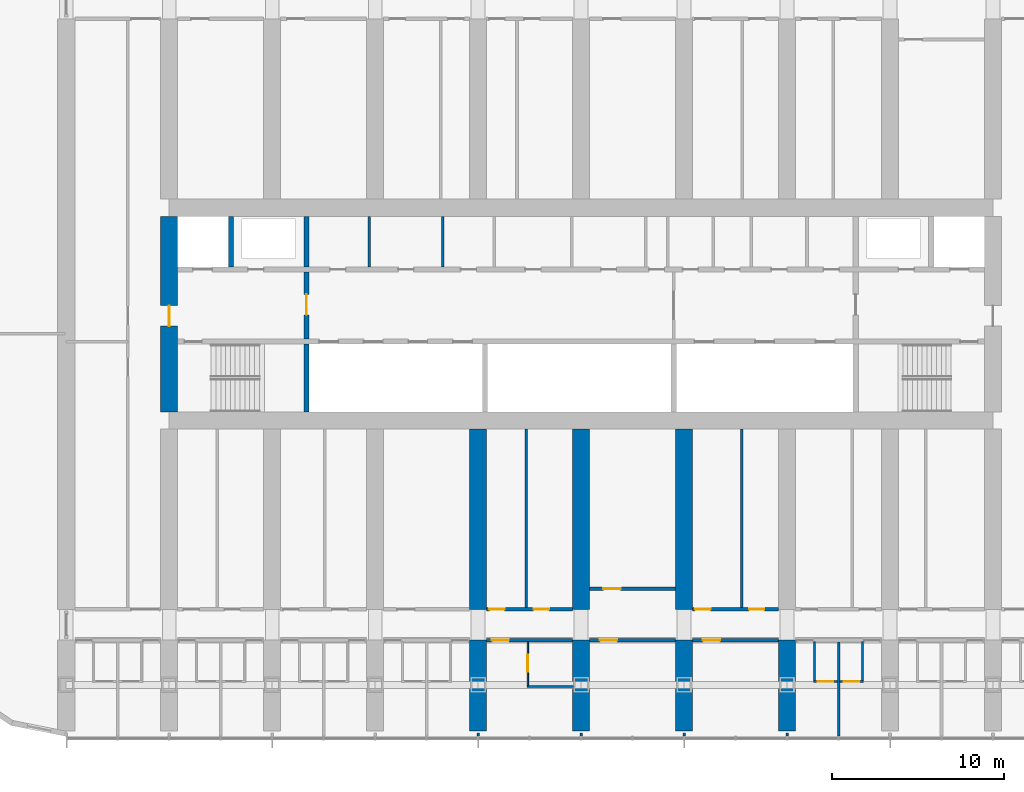
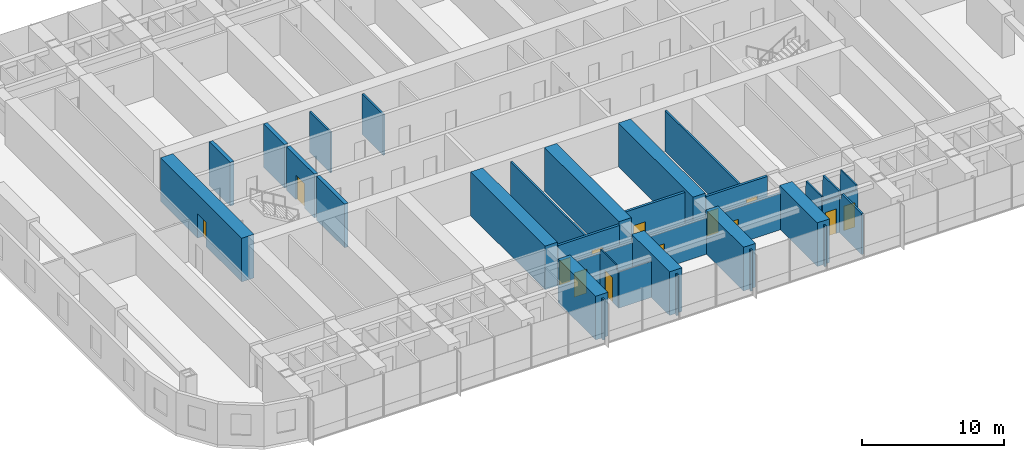
# One storey, part 12 of 25: 33 walls, 13 doors, 13 openings.
"""IFC4 building model written with IfcOpenShell, lengths in metres."""

from ifc_helpers import new_model, si_unit, direction, frame, frame_2d, origin, place, context, subcontext, project, spatial, polyline, rectangle, outline, extrude, material, layer, layer_set, type_object, element, fill, save


model = new_model("IFC4")

# Units and contexts
model_context = context("Model", 3, precision=1e-05, world=origin(), true_north=direction((0.0, 1.0)))
body_context = subcontext(model_context, "Body", "Model", "MODEL_VIEW")
ifc_project = project(units=[si_unit("LENGTHUNIT", "METRE"), si_unit("AREAUNIT", "SQUARE_METRE"), si_unit("VOLUMEUNIT", "CUBIC_METRE"), si_unit("PLANEANGLEUNIT", "RADIAN"), si_unit("MASSUNIT", "GRAM", prefix="KILO")], contexts=[model_context])

# Site, building, storey
site_placement = place(None, origin())
site = spatial("IfcSite", under=ifc_project, at=site_placement, CompositionType="ELEMENT")
building_placement = place(site_placement, origin())
building = spatial("IfcBuilding", under=site, at=building_placement, Name="Orbita Commons", CompositionType="ELEMENT")
storey_placement = place(building_placement, frame((0.0, 0.0, 31.449951171875)))
storey = spatial("IfcBuildingStorey", under=building, at=storey_placement, Name="L07", CompositionType="ELEMENT", Elevation=31.449951171875)

# Wall
ifc_material_1 = material(Name="Concrete C50/60", Category="concrete")
ifc_layer_1 = layer(ifc_material_1, 0.300048828125)
ifc_layer_set_1 = layer_set([ifc_layer_1], Name="Concrete C50/60")
wall_type_1 = type_object("IfcWallType", Name="Core inner wall 300 C50/60", PredefinedType="SHEAR", material=ifc_layer_set_1)
wall_1_placement = place(storey_placement, frame((26.0, 26.300048828125, 0.0), z_axis=(0.0, 0.0, 1.0), x_axis=(0.0, 1.0, 0.0)))
element("IfcWall", 1, at=wall_1_placement, inside=storey, type_object=wall_type_1, Name="Stair S1 wall L07", PredefinedType="SHEAR", context=body_context, shape_type="SweptSolid", body=[
    extrude(rectangle(XDim=3.949951171875, YDim=0.300048828125, at=frame_2d((1.97509765625, 0.0))), origin(), (0.0, 0.0, 1.0), 3.75),
])

# Wall, opening, door
wall_2_placement = place(storey_placement, frame((26.0, 30.550048828125, 0.0), z_axis=(0.0, 0.0, 1.0), x_axis=(0.0, 1.0, 0.0)))
wall_2 = element("IfcWall", 2, at=wall_2_placement, inside=storey, type_object=wall_type_1, Name="Firefighting lobby wall west L07", PredefinedType="SHEAR", context=body_context, shape_type="SweptSolid", body=[
    extrude(rectangle(XDim=3.89990234375, YDim=0.300048828125, at=frame_2d((1.949951171875, 0.0))), origin(), (0.0, 0.0, 1.0), 3.75),
])
opening_1_placement = place(wall_2_placement, frame((1.39990234375, 0.0, 0.0)))
opening_1 = element("IfcOpeningElement", 3, at=opening_1_placement, cuts=wall_2, Name="Opening D04", PredefinedType="OPENING", context=body_context, shape_type="SweptSolid", body=[
    extrude(rectangle(XDim=1.199951171875, YDim=2.10009765625, at=frame_2d((0.60009765625, 1.050048828125))), frame((0.0, 0.159912109375, 0.0), z_axis=(0.0, -1.0, 0.0), x_axis=(1.0, 0.0, 0.0)), (0.0, 0.0, 1.0), 0.320068359375),
])
ifc_material_2 = material(Name="Steel-faced fire door leaf", Category="steel")
door_type_1 = type_object("IfcDoorType", Name="Service door 20 min 1200x2100", OperationType="SINGLE_SWING_LEFT", PredefinedType="DOOR", material=ifc_material_2)
door_1_placement = place(opening_1_placement, origin())
door_1 = element("IfcDoor", 4, at=door_1_placement, inside=storey, type_object=door_type_1, Name="Lift lobby door west", OperationType="SINGLE_SWING_LEFT", OverallHeight=2.10009765625, OverallWidth=1.199951171875, PredefinedType="DOOR", context=body_context, shape_type="SweptSolid", body=[
    extrude(rectangle(XDim=1.199951171875, YDim=2.10009765625, at=frame_2d((0.60009765625, 1.050048828125))), frame((0.0, 0.02490234375, 0.0), z_axis=(0.0, -1.0, 0.0), x_axis=(1.0, 0.0, 0.0)), (0.0, 0.0, 1.0), 0.050048828125),
])
fill(opening_1, door_1)

# Walls
for number, where, z_axis, x_axis, name in (
    (5, (21.60009765625, 34.75, 0.0), (0.0, 0.0, 1.0), (0.0, 1.0, 0.0), "Firefighting lift FL1 shaft wall L07"),
    (6, (26.0, 34.75, 0.0), (0.0, 0.0, 1.0), (0.0, 1.0, 0.0), "Riser wall west L07"),
):
    element("IfcWall", number, at=place(storey_placement, frame(where, z_axis=z_axis, x_axis=x_axis)), inside=storey, type_object=wall_type_1, Name=name, PredefinedType="SHEAR", context=body_context, shape_type="SweptSolid", body=[
        extrude(rectangle(XDim=2.949951171875, YDim=0.300048828125, at=frame_2d((1.47509765625, 0.0))), origin(), (0.0, 0.0, 1.0), 3.75),
    ])
ifc_material_3 = material(Name="Concrete blockwork", Category="masonry")
ifc_layer_2 = layer(ifc_material_3, 0.14990234375)
ifc_layer_set_2 = layer_set([ifc_layer_2], Name="Concrete blockwork")
wall_type_2 = type_object("IfcWallType", Name="Core partition 150 blockwork", PredefinedType="SOLIDWALL", material=ifc_layer_set_2)
for number, where, z_axis, x_axis, name in (
    (7, (29.65087890625, 34.75, 0.0), (0.0, 0.0, 1.0), (0.0, 1.0, 0.0), "Core partition 150 blockwork L07"),
    (8, (33.9462890625, 34.75, 0.0), (0.0, 0.0, 1.0), (0.0, 1.0, 0.0), "Core partition 150 blockwork L07"),
):
    element("IfcWall", number, at=place(storey_placement, frame(where, z_axis=z_axis, x_axis=x_axis)), inside=storey, type_object=wall_type_2, Name=name, PredefinedType="SOLIDWALL", context=body_context, shape_type="SweptSolid", body=[
        extrude(rectangle(XDim=2.949951171875, YDim=0.14990234375, at=frame_2d((1.47509765625, 0.0))), origin(), (0.0, 0.0, 1.0), 3.5),
    ])

# Wall, opening, door
ifc_material_4 = material(Name="Concrete C50/60", Category="concrete")
ifc_layer_3 = layer(ifc_material_4, 1.0)
ifc_layer_set_3 = layer_set([ifc_layer_3], Name="Concrete C50/60")
wall_type_3 = type_object("IfcWallType", Name="Core wall 1000 C50/60", PredefinedType="SHEAR", material=ifc_layer_set_3)
wall_3_placement = place(storey_placement, frame((18.0, 26.300048828125, 0.0), z_axis=(0.0, 0.0, 1.0), x_axis=(0.0, 1.0, 0.0)))
wall_3 = element("IfcWall", 9, at=wall_3_placement, inside=storey, type_object=wall_type_3, Name="Core end wall west L07", PredefinedType="SHEAR", context=body_context, shape_type="SweptSolid", body=[
    extrude(rectangle(XDim=11.39990234375, YDim=1.0, at=frame_2d((5.699951171875, 0.0))), origin(), (0.0, 0.0, 1.0), 3.75),
])
opening_2_placement = place(wall_3_placement, frame((5.0, 0.0, 0.0)))
opening_2 = element("IfcOpeningElement", 10, at=opening_2_placement, cuts=wall_3, Name="Opening D01", PredefinedType="OPENING", context=body_context, shape_type="SweptSolid", body=[
    extrude(rectangle(XDim=1.199951171875, YDim=2.10009765625, at=frame_2d((0.60009765625, 1.050048828125))), frame((0.0, 0.510009765625, 0.0), z_axis=(0.0, -1.0, 0.0), x_axis=(1.0, 0.0, 0.0)), (0.0, 0.0, 1.0), 1.02001953125),
])
ifc_material_5 = material(Name="Steel-faced fire door leaf", Category="steel")
door_type_2 = type_object("IfcDoorType", Name="Fire door 90 min 1200x2100", OperationType="SINGLE_SWING_LEFT", PredefinedType="DOOR", material=ifc_material_5)
door_2_placement = place(opening_2_placement, origin())
door_2 = element("IfcDoor", 11, at=door_2_placement, inside=storey, type_object=door_type_2, Name="Firefighting lobby west door", OperationType="SINGLE_SWING_LEFT", OverallHeight=2.10009765625, OverallWidth=1.199951171875, PredefinedType="DOOR", context=body_context, shape_type="SweptSolid", body=[
    extrude(rectangle(XDim=1.199951171875, YDim=2.10009765625, at=frame_2d((0.60009765625, 1.050048828125))), frame((0.0, 0.02490234375, 0.0), z_axis=(0.0, -1.0, 0.0), x_axis=(1.0, 0.0, 0.0)), (0.0, 0.0, 1.0), 0.050048828125),
])
fill(opening_2, door_2)

ifc_material_6 = material(Name="Concrete blockwork", Category="masonry")
ifc_layer_4 = layer(ifc_material_6, 0.199951171875)
ifc_layer_set_4 = layer_set([ifc_layer_4], Name="Concrete blockwork")
wall_type_4 = type_object("IfcWallType", Name="Corridor wall 200 blockwork", PredefinedType="SOLIDWALL", material=ifc_layer_set_4)
wall_4_placement = place(storey_placement, frame((36.5, 13.0, 0.0), z_axis=(0.0, 0.0, 1.0), x_axis=(1.0, 0.0, 0.0)))
wall_4 = element("IfcWall", 12, at=wall_4_placement, inside=storey, type_object=wall_type_4, Name="Corridor wall 200 blockwork L07", PredefinedType="SOLIDWALL", context=body_context, shape_type="SweptSolid", body=[
    extrude(outline(polyline([(0.0, 0.0), (5.0, 0.0), (5.0, 3.10009765625), (0.0, 3.10009765625), (0.0, 0.0)])), frame((0.0, 0.10009765625, 0.0), z_axis=(0.0, -1.0, 0.0), x_axis=(1.0, 0.0, 0.0)), (0.0, 0.0, 1.0), 0.199951171875),
])
opening_3_placement = place(wall_4_placement, frame((0.300048828125, 0.0, 0.0)))
opening_3 = element("IfcOpeningElement", 13, at=opening_3_placement, cuts=wall_4, Name="Opening D06", PredefinedType="OPENING", context=body_context, shape_type="SweptSolid", body=[
    extrude(rectangle(XDim=1.0, YDim=2.10009765625, at=frame_2d((0.5, 1.050048828125))), frame((0.0, 0.10986328125, 0.0), z_axis=(0.0, -1.0, 0.0), x_axis=(1.0, 0.0, 0.0)), (0.0, 0.0, 1.0), 0.219970703125),
])
ifc_material_7 = material(Name="Steel-faced fire door leaf", Category="steel")
door_type_3 = type_object("IfcDoorType", Name="Corridor door 20 min 1000x2100", OperationType="SINGLE_SWING_LEFT", PredefinedType="DOOR", material=ifc_material_7)
door_3_placement = place(opening_3_placement, origin())
door_3 = element("IfcDoor", 14, at=door_3_placement, inside=storey, type_object=door_type_3, Name="Accessible bedroom L07-S08 door", OperationType="SINGLE_SWING_LEFT", OverallHeight=2.10009765625, OverallWidth=1.0, PredefinedType="DOOR", context=body_context, shape_type="SweptSolid", body=[
    extrude(rectangle(XDim=1.0, YDim=2.10009765625, at=frame_2d((0.5, 1.050048828125))), frame((0.0, 0.02490234375, 0.0), z_axis=(0.0, -1.0, 0.0), x_axis=(1.0, 0.0, 0.0)), (0.0, 0.0, 1.0), 0.050048828125),
])
fill(opening_3, door_3)

wall_5_placement = place(storey_placement, frame((42.5, 13.0, 0.0), z_axis=(0.0, 0.0, 1.0), x_axis=(1.0, 0.0, 0.0)))
wall_5 = element("IfcWall", 15, at=wall_5_placement, inside=storey, type_object=wall_type_4, Name="Corridor wall 200 blockwork L07", PredefinedType="SOLIDWALL", context=body_context, shape_type="SweptSolid", body=[
    extrude(outline(polyline([(0.0, 0.0), (5.0, 0.0), (5.0, 3.10009765625), (0.0, 3.10009765625), (0.0, 0.0)])), frame((0.0, 0.10009765625, 0.0), z_axis=(0.0, -1.0, 0.0), x_axis=(1.0, 0.0, 0.0)), (0.0, 0.0, 1.0), 0.199951171875),
])
opening_4_placement = place(wall_5_placement, frame((0.60009765625, 0.0, 0.0)))
opening_4 = element("IfcOpeningElement", 16, at=opening_4_placement, cuts=wall_5, Name="Opening D06", PredefinedType="OPENING", context=body_context, shape_type="SweptSolid", body=[
    extrude(rectangle(XDim=1.0, YDim=2.10009765625, at=frame_2d((0.5, 1.050048828125))), frame((0.0, 0.10986328125, 0.0), z_axis=(0.0, -1.0, 0.0), x_axis=(1.0, 0.0, 0.0)), (0.0, 0.0, 1.0), 0.219970703125),
])
door_4_placement = place(opening_4_placement, origin())
door_4 = element("IfcDoor", 17, at=door_4_placement, inside=storey, type_object=door_type_3, Name="House study room L07-S10 door", OperationType="SINGLE_SWING_LEFT", OverallHeight=2.10009765625, OverallWidth=1.0, PredefinedType="DOOR", context=body_context, shape_type="SweptSolid", body=[
    extrude(rectangle(XDim=1.0, YDim=2.10009765625, at=frame_2d((0.5, 1.050048828125))), frame((0.0, 0.02490234375, 0.0), z_axis=(0.0, -1.0, 0.0), x_axis=(1.0, 0.0, 0.0)), (0.0, 0.0, 1.0), 0.050048828125),
])
fill(opening_4, door_4)

wall_6_placement = place(storey_placement, frame((48.5, 13.0, 0.0), z_axis=(0.0, 0.0, 1.0), x_axis=(1.0, 0.0, 0.0)))
wall_6 = element("IfcWall", 18, at=wall_6_placement, inside=storey, type_object=wall_type_4, Name="Corridor wall 200 blockwork L07", PredefinedType="SOLIDWALL", context=body_context, shape_type="SweptSolid", body=[
    extrude(outline(polyline([(0.0, 0.0), (5.0, 0.0), (5.0, 3.10009765625), (0.0, 3.10009765625), (0.0, 0.0)])), frame((0.0, 0.10009765625, 0.0), z_axis=(0.0, -1.0, 0.0), x_axis=(1.0, 0.0, 0.0)), (0.0, 0.0, 1.0), 0.199951171875),
])
opening_5_placement = place(wall_6_placement, frame((0.60009765625, 0.0, 0.0)))
opening_5 = element("IfcOpeningElement", 19, at=opening_5_placement, cuts=wall_6, Name="Opening D06", PredefinedType="OPENING", context=body_context, shape_type="SweptSolid", body=[
    extrude(rectangle(XDim=1.0, YDim=2.10009765625, at=frame_2d((0.5, 1.050048828125))), frame((0.0, 0.10986328125, 0.0), z_axis=(0.0, -1.0, 0.0), x_axis=(1.0, 0.0, 0.0)), (0.0, 0.0, 1.0), 0.219970703125),
])
door_5_placement = place(opening_5_placement, origin())
door_5 = element("IfcDoor", 20, at=door_5_placement, inside=storey, type_object=door_type_3, Name="House kitchen-diner L07-S12 door", OperationType="SINGLE_SWING_LEFT", OverallHeight=2.10009765625, OverallWidth=1.0, PredefinedType="DOOR", context=body_context, shape_type="SweptSolid", body=[
    extrude(rectangle(XDim=1.0, YDim=2.10009765625, at=frame_2d((0.5, 1.050048828125))), frame((0.0, 0.02490234375, 0.0), z_axis=(0.0, -1.0, 0.0), x_axis=(1.0, 0.0, 0.0)), (0.0, 0.0, 1.0), 0.050048828125),
])
fill(opening_5, door_5)

# Wall, openings, doors
ifc_material_8 = material(Name="Hollow concrete block 200", Category="concrete")
ifc_layer_5 = layer(ifc_material_8, 0.199951171875)
ifc_layer_set_5 = layer_set([ifc_layer_5], Name="Hollow concrete block 200")
wall_type_5 = type_object("IfcWallType", Name="Corridor wall 200 hollow concrete block", PredefinedType="SOLIDWALL", material=ifc_layer_set_5)
wall_7_placement = place(storey_placement, frame((36.5, 14.800048828125, 0.0), z_axis=(0.0, 0.0, 1.0), x_axis=(1.0, 0.0, 0.0)))
wall_7 = element("IfcWall", 21, at=wall_7_placement, inside=storey, type_object=wall_type_5, Name="Corridor wall 200 hollow concrete block L07", PredefinedType="SOLIDWALL", context=body_context, shape_type="SweptSolid", body=[
    extrude(rectangle(XDim=5.0, YDim=0.199951171875, at=frame_2d((2.5, 0.0))), origin(), (0.0, 0.0, 1.0), 3.5),
])
opening_6_placement = place(wall_7_placement, frame((0.14990234375, 0.0, 0.0)))
opening_6 = element("IfcOpeningElement", 22, at=opening_6_placement, cuts=wall_7, Name="Opening D11", PredefinedType="OPENING", context=body_context, shape_type="SweptSolid", body=[
    extrude(rectangle(XDim=0.89990234375, YDim=2.10009765625, at=frame_2d((0.449951171875, 1.050048828125))), frame((0.0, 0.10986328125, 0.0), z_axis=(0.0, -1.0, 0.0), x_axis=(1.0, 0.0, 0.0)), (0.0, 0.0, 1.0), 0.219970703125),
])
opening_7_placement = place(wall_7_placement, frame((2.735107421875, 0.0, 0.0)))
opening_7 = element("IfcOpeningElement", 23, at=opening_7_placement, cuts=wall_7, Name="Opening D11", PredefinedType="OPENING", context=body_context, shape_type="SweptSolid", body=[
    extrude(rectangle(XDim=0.89990234375, YDim=2.10009765625, at=frame_2d((0.449951171875, 1.050048828125))), frame((0.0, 0.10986328125, 0.0), z_axis=(0.0, -1.0, 0.0), x_axis=(1.0, 0.0, 0.0)), (0.0, 0.0, 1.0), 0.219970703125),
])
ifc_material_9 = material(Name="Steel-faced fire door leaf", Category="steel")
door_type_4 = type_object("IfcDoorType", Name="Corridor door 20 min 900x2100", OperationType="SINGLE_SWING_LEFT", PredefinedType="DOOR", material=ifc_material_9)
door_6_placement = place(opening_6_placement, origin())
door_6 = element("IfcDoor", 24, at=door_6_placement, inside=storey, type_object=door_type_4, Name="Quiet room L07-BDS36 door", OperationType="SINGLE_SWING_LEFT", OverallHeight=2.10009765625, OverallWidth=0.89990234375, PredefinedType="DOOR", context=body_context, shape_type="SweptSolid", body=[
    extrude(rectangle(XDim=0.89990234375, YDim=2.10009765625, at=frame_2d((0.449951171875, 1.050048828125))), frame((0.0, 0.02490234375, 0.0), z_axis=(0.0, -1.0, 0.0), x_axis=(1.0, 0.0, 0.0)), (0.0, 0.0, 1.0), 0.050048828125),
])
fill(opening_6, door_6)
door_7_placement = place(opening_7_placement, origin())
door_7 = element("IfcDoor", 25, at=door_7_placement, inside=storey, type_object=door_type_4, Name="Battery and UPS room L07-BDS36n door", OperationType="SINGLE_SWING_LEFT", OverallHeight=2.10009765625, OverallWidth=0.89990234375, PredefinedType="DOOR", context=body_context, shape_type="SweptSolid", body=[
    extrude(rectangle(XDim=0.89990234375, YDim=2.10009765625, at=frame_2d((0.449951171875, 1.050048828125))), frame((0.0, 0.02490234375, 0.0), z_axis=(0.0, -1.0, 0.0), x_axis=(1.0, 0.0, 0.0)), (0.0, 0.0, 1.0), 0.050048828125),
])
fill(opening_7, door_7)

wall_8_placement = place(storey_placement, frame((48.5, 14.800048828125, 0.0), z_axis=(0.0, 0.0, 1.0), x_axis=(1.0, 0.0, 0.0)))
wall_8 = element("IfcWall", 26, at=wall_8_placement, inside=storey, type_object=wall_type_5, Name="Corridor wall 200 hollow concrete block L07", PredefinedType="SOLIDWALL", context=body_context, shape_type="SweptSolid", body=[
    extrude(rectangle(XDim=5.0, YDim=0.199951171875, at=frame_2d((2.5, 0.0))), origin(), (0.0, 0.0, 1.0), 3.5),
])
opening_8_placement = place(wall_8_placement, frame((0.14990234375, 0.0, 0.0)))
opening_8 = element("IfcOpeningElement", 27, at=opening_8_placement, cuts=wall_8, Name="Opening D11", PredefinedType="OPENING", context=body_context, shape_type="SweptSolid", body=[
    extrude(rectangle(XDim=0.89990234375, YDim=2.10009765625, at=frame_2d((0.449951171875, 1.050048828125))), frame((0.0, 0.10986328125, 0.0), z_axis=(0.0, -1.0, 0.0), x_axis=(1.0, 0.0, 0.0)), (0.0, 0.0, 1.0), 0.219970703125),
])
opening_9_placement = place(wall_8_placement, frame((3.284912109375, 0.0, 0.0)))
opening_9 = element("IfcOpeningElement", 28, at=opening_9_placement, cuts=wall_8, Name="Opening D11", PredefinedType="OPENING", context=body_context, shape_type="SweptSolid", body=[
    extrude(rectangle(XDim=0.89990234375, YDim=2.10009765625, at=frame_2d((0.449951171875, 1.050048828125))), frame((0.0, 0.10986328125, 0.0), z_axis=(0.0, -1.0, 0.0), x_axis=(1.0, 0.0, 0.0)), (0.0, 0.0, 1.0), 0.219970703125),
])
door_8_placement = place(opening_8_placement, origin())
door_8 = element("IfcDoor", 29, at=door_8_placement, inside=storey, type_object=door_type_4, Name="Drying room L07-BDS48 door", OperationType="SINGLE_SWING_LEFT", OverallHeight=2.10009765625, OverallWidth=0.89990234375, PredefinedType="DOOR", context=body_context, shape_type="SweptSolid", body=[
    extrude(rectangle(XDim=0.89990234375, YDim=2.10009765625, at=frame_2d((0.449951171875, 1.050048828125))), frame((0.0, 0.02490234375, 0.0), z_axis=(0.0, -1.0, 0.0), x_axis=(1.0, 0.0, 0.0)), (0.0, 0.0, 1.0), 0.050048828125),
])
fill(opening_8, door_8)
door_9_placement = place(opening_9_placement, origin())
door_9 = element("IfcDoor", 30, at=door_9_placement, inside=storey, type_object=door_type_4, Name="Sprinkler valve room L07-BDS48n door", OperationType="SINGLE_SWING_LEFT", OverallHeight=2.10009765625, OverallWidth=0.89990234375, PredefinedType="DOOR", context=body_context, shape_type="SweptSolid", body=[
    extrude(rectangle(XDim=0.89990234375, YDim=2.10009765625, at=frame_2d((0.449951171875, 1.050048828125))), frame((0.0, 0.02490234375, 0.0), z_axis=(0.0, -1.0, 0.0), x_axis=(1.0, 0.0, 0.0)), (0.0, 0.0, 1.0), 0.050048828125),
])
fill(opening_9, door_9)

# Wall, opening, door
wall_9_placement = place(storey_placement, frame((42.5, 16.0, 0.0), z_axis=(0.0, 0.0, 1.0), x_axis=(1.0, 0.0, 0.0)))
wall_9 = element("IfcWall", 31, at=wall_9_placement, inside=storey, type_object=wall_type_5, Name="Corridor wall 200 hollow concrete block L07", PredefinedType="SOLIDWALL", context=body_context, shape_type="SweptSolid", body=[
    extrude(rectangle(XDim=5.0, YDim=0.199951171875, at=frame_2d((2.5, 0.0))), origin(), (0.0, 0.0, 1.0), 3.5),
])
opening_10_placement = place(wall_9_placement, frame((0.800048828125, 0.0, 0.0)))
opening_10 = element("IfcOpeningElement", 32, at=opening_10_placement, cuts=wall_9, Name="Opening D06", PredefinedType="OPENING", context=body_context, shape_type="SweptSolid", body=[
    extrude(rectangle(XDim=1.0, YDim=2.10009765625, at=frame_2d((0.5, 1.050048828125))), frame((0.0, 0.10986328125, 0.0), z_axis=(0.0, -1.0, 0.0), x_axis=(1.0, 0.0, 0.0)), (0.0, 0.0, 1.0), 0.219970703125),
])
door_10_placement = place(opening_10_placement, origin())
door_10 = element("IfcDoor", 33, at=door_10_placement, inside=storey, type_object=door_type_3, Name="Parcel and post room L07-BDS42 door", OperationType="SINGLE_SWING_LEFT", OverallHeight=2.10009765625, OverallWidth=1.0, PredefinedType="DOOR", context=body_context, shape_type="SweptSolid", body=[
    extrude(rectangle(XDim=1.0, YDim=2.10009765625, at=frame_2d((0.5, 1.050048828125))), frame((0.0, 0.02490234375, 0.0), z_axis=(0.0, -1.0, 0.0), x_axis=(1.0, 0.0, 0.0)), (0.0, 0.0, 1.0), 0.050048828125),
])
fill(opening_10, door_10)

# Walls
ifc_material_10 = material(Name="Concrete C50/60", Category="concrete")
ifc_layer_6 = layer(ifc_material_10, 1.0)
ifc_layer_set_6 = layer_set([ifc_layer_6], Name="Concrete C50/60")
wall_type_6 = type_object("IfcWallType", Name="Cross wall 1000 C50/60", PredefinedType="SHEAR", material=ifc_layer_set_6)
wall_10_placement = place(storey_placement, frame((36.0, 7.699951171875, 0.0), z_axis=(0.0, 0.0, 1.0), x_axis=(0.0, 1.0, 0.0)))
element("IfcWall", 34, at=wall_10_placement, inside=storey, type_object=wall_type_6, Name="Cross wall 7 south outer L07", PredefinedType="SHEAR", context=body_context, shape_type="SweptSolid", body=[
    extrude(rectangle(XDim=5.300048828125, YDim=1.0, at=frame_2d((2.64990234375, 0.0))), origin(), (0.0, 0.0, 1.0), 3.75),
])
wall_11_placement = place(storey_placement, frame((36.0, 14.800048828125, 0.0), z_axis=(0.0, 0.0, 1.0), x_axis=(0.0, 1.0, 0.0)))
element("IfcWall", 35, at=wall_11_placement, inside=storey, type_object=wall_type_6, Name="Cross wall 7 south inner L07", PredefinedType="SHEAR", context=body_context, shape_type="SweptSolid", body=[
    extrude(rectangle(XDim=10.5, YDim=1.0, at=frame_2d((5.25, 0.0))), origin(), (0.0, 0.0, 1.0), 3.75),
])
wall_12_placement = place(storey_placement, frame((42.0, 7.699951171875, 0.0), z_axis=(0.0, 0.0, 1.0), x_axis=(0.0, 1.0, 0.0)))
element("IfcWall", 36, at=wall_12_placement, inside=storey, type_object=wall_type_6, Name="Cross wall 8 south outer L07", PredefinedType="SHEAR", context=body_context, shape_type="SweptSolid", body=[
    extrude(rectangle(XDim=5.300048828125, YDim=1.0, at=frame_2d((2.64990234375, 0.0))), origin(), (0.0, 0.0, 1.0), 3.75),
])
wall_13_placement = place(storey_placement, frame((42.0, 14.800048828125, 0.0), z_axis=(0.0, 0.0, 1.0), x_axis=(0.0, 1.0, 0.0)))
element("IfcWall", 37, at=wall_13_placement, inside=storey, type_object=wall_type_6, Name="Cross wall 8 south inner L07", PredefinedType="SHEAR", context=body_context, shape_type="SweptSolid", body=[
    extrude(rectangle(XDim=10.5, YDim=1.0, at=frame_2d((5.25, 0.0))), origin(), (0.0, 0.0, 1.0), 3.75),
])
wall_14_placement = place(storey_placement, frame((48.0, 7.699951171875, 0.0), z_axis=(0.0, 0.0, 1.0), x_axis=(0.0, 1.0, 0.0)))
element("IfcWall", 38, at=wall_14_placement, inside=storey, type_object=wall_type_6, Name="Cross wall 9 south outer L07", PredefinedType="SHEAR", context=body_context, shape_type="SweptSolid", body=[
    extrude(rectangle(XDim=5.300048828125, YDim=1.0, at=frame_2d((2.64990234375, 0.0))), origin(), (0.0, 0.0, 1.0), 3.75),
])
wall_15_placement = place(storey_placement, frame((48.0, 14.800048828125, 0.0), z_axis=(0.0, 0.0, 1.0), x_axis=(0.0, 1.0, 0.0)))
element("IfcWall", 39, at=wall_15_placement, inside=storey, type_object=wall_type_6, Name="Cross wall 9 south inner L07", PredefinedType="SHEAR", context=body_context, shape_type="SweptSolid", body=[
    extrude(rectangle(XDim=10.5, YDim=1.0, at=frame_2d((5.25, 0.0))), origin(), (0.0, 0.0, 1.0), 3.75),
])
wall_16_placement = place(storey_placement, frame((54.0, 7.699951171875, 0.0), z_axis=(0.0, 0.0, 1.0), x_axis=(0.0, 1.0, 0.0)))
element("IfcWall", 40, at=wall_16_placement, inside=storey, type_object=wall_type_6, Name="Cross wall 10 south outer L07", PredefinedType="SHEAR", context=body_context, shape_type="SweptSolid", body=[
    extrude(rectangle(XDim=5.300048828125, YDim=1.0, at=frame_2d((2.64990234375, 0.0))), origin(), (0.0, 0.0, 1.0), 3.75),
])
ifc_material_11 = material(Name="Moisture-resistant plasterboard on steel studs", Category="steel")
ifc_layer_7 = layer(ifc_material_11, 0.10009765625)
ifc_layer_set_7 = layer_set([ifc_layer_7], Name="Moisture-resistant plasterboard on steel studs")
wall_type_7 = type_object("IfcWallType", Name="En-suite partition 100", PredefinedType="PARTITIONING", material=ifc_layer_set_7)
wall_17_placement = place(storey_placement, frame((38.85009765625, 10.300048828125, 0.0), z_axis=(0.0, 0.0, 1.0), x_axis=(1.0, 0.0, 0.0)))
element("IfcWall", 41, at=wall_17_placement, inside=storey, type_object=wall_type_7, Name="En-suite partition 100 L07", PredefinedType="PARTITIONING", context=body_context, shape_type="SweptSolid", body=[
    extrude(outline(polyline([(0.0, 0.0), (2.699951171875, 0.0), (2.699951171875, 3.10009765625), (0.0, 3.10009765625), (0.0, 0.0)])), frame((0.0, 0.050048828125, 0.0), z_axis=(0.0, -1.0, 0.0), x_axis=(1.0, 0.0, 0.0)), (0.0, 0.0, 1.0), 0.10009765625),
])

# Wall, opening, door
wall_18_placement = place(storey_placement, frame((38.89990234375, 10.35009765625, 0.0), z_axis=(0.0, 0.0, 1.0), x_axis=(0.0, 1.0, 0.0)))
wall_18 = element("IfcWall", 42, at=wall_18_placement, inside=storey, type_object=wall_type_7, Name="En-suite partition 100 L07", PredefinedType="PARTITIONING", context=body_context, shape_type="SweptSolid", body=[
    extrude(outline(polyline([(0.0, 0.0), (2.5498046875, 0.0), (2.550048828125, 3.10009765625), (2.501953125, 3.10009765625), (2.5, 3.5), (0.251953125, 3.5), (0.25, 3.10009765625), (0.0, 3.10009765625), (0.0, 0.0)])), frame((0.0, 0.050048828125, 0.0), z_axis=(0.0, -1.0, 0.0), x_axis=(1.0, 0.0, 0.0)), (0.0, 0.0, 1.0), 0.10009765625),
])
opening_11_placement = place(wall_18_placement, frame((0.800048828125, 0.0, 0.0)))
opening_11 = element("IfcOpeningElement", 43, at=opening_11_placement, cuts=wall_18, Name="Opening D13", PredefinedType="OPENING", context=body_context, shape_type="SweptSolid", body=[
    extrude(rectangle(XDim=1.0, YDim=2.10009765625, at=frame_2d((0.5, 1.050048828125))), frame((0.0, 0.06005859375, 0.0), z_axis=(0.0, -1.0, 0.0), x_axis=(1.0, 0.0, 0.0)), (0.0, 0.0, 1.0), 0.1201171875),
])
ifc_material_12 = material(Name="Laminated timber door leaf", Category="wood")
door_type_5 = type_object("IfcDoorType", Name="En-suite door 1000x2100", OperationType="SINGLE_SWING_RIGHT", PredefinedType="DOOR", material=ifc_material_12)
door_11_placement = place(opening_11_placement, origin())
door_11 = element("IfcDoor", 44, at=door_11_placement, inside=storey, type_object=door_type_5, Name="Accessible shower room L07-S08 door", OperationType="SINGLE_SWING_RIGHT", OverallHeight=2.10009765625, OverallWidth=1.0, PredefinedType="DOOR", context=body_context, shape_type="SweptSolid", body=[
    extrude(rectangle(XDim=1.0, YDim=2.10009765625, at=frame_2d((0.5, 1.050048828125))), frame((0.0, 0.02490234375, 0.0), z_axis=(0.0, -1.0, 0.0), x_axis=(1.0, 0.0, 0.0)), (0.0, 0.0, 1.0), 0.050048828125),
])
fill(opening_11, door_11)

wall_19_placement = place(storey_placement, frame((56.925048828125, 10.59814453125, 0.0), z_axis=(0.0, 0.0, 1.0), x_axis=(-1.0, 0.0, 0.0)))
wall_19 = element("IfcWall", 45, at=wall_19_placement, inside=storey, type_object=wall_type_7, Name="En-suite partition 100 L07", PredefinedType="PARTITIONING", context=body_context, shape_type="SweptSolid", body=[
    extrude(outline(polyline([(0.0, 0.0), (1.375, 0.0), (1.375, 3.10009765625), (0.0, 3.10009765625), (0.0, 0.0)])), frame((0.0, 0.050048828125, 0.0), z_axis=(0.0, -1.0, 0.0), x_axis=(1.0, 0.0, 0.0)), (0.0, 0.0, 1.0), 0.10009765625),
])
opening_12_placement = place(wall_19_placement, frame((0.237548828125, 0.0, 0.0)))
opening_12 = element("IfcOpeningElement", 46, at=opening_12_placement, cuts=wall_19, Name="Opening D09", PredefinedType="OPENING", context=body_context, shape_type="SweptSolid", body=[
    extrude(rectangle(XDim=0.89990234375, YDim=2.10009765625, at=frame_2d((0.449951171875, 1.050048828125))), frame((0.0, 0.06005859375, 0.0), z_axis=(0.0, -1.0, 0.0), x_axis=(1.0, 0.0, 0.0)), (0.0, 0.0, 1.0), 0.1201171875),
])
ifc_material_13 = material(Name="Laminated timber door leaf", Category="wood")
door_type_6 = type_object("IfcDoorType", Name="En-suite door 900x2100", OperationType="SINGLE_SWING_RIGHT", PredefinedType="DOOR", material=ifc_material_13)
door_12_placement = place(opening_12_placement, origin())
door_12 = element("IfcDoor", 47, at=door_12_placement, inside=storey, type_object=door_type_6, Name="En-suite L07-S14 door", OperationType="SINGLE_SWING_RIGHT", OverallHeight=2.10009765625, OverallWidth=0.89990234375, PredefinedType="DOOR", context=body_context, shape_type="SweptSolid", body=[
    extrude(rectangle(XDim=0.89990234375, YDim=2.10009765625, at=frame_2d((0.449951171875, 1.050048828125))), frame((0.0, 0.02490234375, 0.0), z_axis=(0.0, -1.0, 0.0), x_axis=(1.0, 0.0, 0.0)), (0.0, 0.0, 1.0), 0.050048828125),
])
fill(opening_12, door_12)

# Wall
wall_20_placement = place(storey_placement, frame((55.60009765625, 10.648193359375, 0.0), z_axis=(0.0, 0.0, 1.0), x_axis=(0.0, 1.0, 0.0)))
element("IfcWall", 48, at=wall_20_placement, inside=storey, type_object=wall_type_7, Name="En-suite partition 100 L07", PredefinedType="PARTITIONING", context=body_context, shape_type="SweptSolid", body=[
    extrude(outline(polyline([(0.0, 0.0), (2.251708984375, 0.0), (2.251953125, 3.10009765625), (2.203857421875, 3.10009765625), (2.201904296875, 3.5), (0.0, 3.5), (0.0, 0.0)])), frame((0.0, 0.050048828125, 0.0), z_axis=(0.0, -1.0, 0.0), x_axis=(1.0, 0.0, 0.0)), (0.0, 0.0, 1.0), 0.10009765625),
])

# Wall, opening, door
wall_21_placement = place(storey_placement, frame((58.449951171875, 10.59814453125, 0.0), z_axis=(0.0, 0.0, 1.0), x_axis=(-1.0, 0.0, 0.0)))
wall_21 = element("IfcWall", 49, at=wall_21_placement, inside=storey, type_object=wall_type_7, Name="En-suite partition 100 L07", PredefinedType="PARTITIONING", context=body_context, shape_type="SweptSolid", body=[
    extrude(outline(polyline([(0.0, 0.0), (1.375, 0.0), (1.375, 3.10009765625), (0.0, 3.10009765625), (0.0, 0.0)])), frame((0.0, 0.050048828125, 0.0), z_axis=(0.0, -1.0, 0.0), x_axis=(1.0, 0.0, 0.0)), (0.0, 0.0, 1.0), 0.10009765625),
])
opening_13_placement = place(wall_21_placement, frame((0.237548828125, 0.0, 0.0)))
opening_13 = element("IfcOpeningElement", 50, at=opening_13_placement, cuts=wall_21, Name="Opening D09", PredefinedType="OPENING", context=body_context, shape_type="SweptSolid", body=[
    extrude(rectangle(XDim=0.89990234375, YDim=2.10009765625, at=frame_2d((0.449951171875, 1.050048828125))), frame((0.0, 0.06005859375, 0.0), z_axis=(0.0, -1.0, 0.0), x_axis=(1.0, 0.0, 0.0)), (0.0, 0.0, 1.0), 0.1201171875),
])
door_13_placement = place(opening_13_placement, origin())
door_13 = element("IfcDoor", 51, at=door_13_placement, inside=storey, type_object=door_type_6, Name="En-suite L07-S15 door", OperationType="SINGLE_SWING_RIGHT", OverallHeight=2.10009765625, OverallWidth=0.89990234375, PredefinedType="DOOR", context=body_context, shape_type="SweptSolid", body=[
    extrude(rectangle(XDim=0.89990234375, YDim=2.10009765625, at=frame_2d((0.449951171875, 1.050048828125))), frame((0.0, 0.02490234375, 0.0), z_axis=(0.0, -1.0, 0.0), x_axis=(1.0, 0.0, 0.0)), (0.0, 0.0, 1.0), 0.050048828125),
])
fill(opening_13, door_13)

# Walls
wall_22_placement = place(storey_placement, frame((58.39990234375, 10.648193359375, 0.0), z_axis=(0.0, 0.0, 1.0), x_axis=(0.0, 1.0, 0.0)))
element("IfcWall", 52, at=wall_22_placement, inside=storey, type_object=wall_type_7, Name="En-suite partition 100 L07", PredefinedType="PARTITIONING", context=body_context, shape_type="SweptSolid", body=[
    extrude(outline(polyline([(0.0, 0.0), (2.251708984375, 0.0), (2.251953125, 3.10009765625), (2.203857421875, 3.10009765625), (2.201904296875, 3.5), (0.0, 3.5), (0.0, 0.0)])), frame((0.0, 0.050048828125, 0.0), z_axis=(0.0, -1.0, 0.0), x_axis=(1.0, 0.0, 0.0)), (0.0, 0.0, 1.0), 0.10009765625),
])
ifc_material_14 = material(Name="Gypsum plasterboard on steel studs", Category="steel")
ifc_layer_8 = layer(ifc_material_14, 0.14990234375)
ifc_layer_set_8 = layer_set([ifc_layer_8], Name="Gypsum plasterboard on steel studs")
wall_type_8 = type_object("IfcWallType", Name="Partition 150 plasterboard", PredefinedType="PARTITIONING", material=ifc_layer_set_8)
for number, where, z_axis, x_axis, name in (
    (53, (38.81005859375, 14.89990234375, 0.0), (0.0, 0.0, 1.0), (0.0, 1.0, 0.0), "Partition 150 plasterboard L07"),
    (54, (51.360107421875, 14.89990234375, 0.0), (0.0, 0.0, 1.0), (0.0, 1.0, 0.0), "Partition 150 plasterboard L07"),
):
    element("IfcWall", number, at=place(storey_placement, frame(where, z_axis=z_axis, x_axis=x_axis)), inside=storey, type_object=wall_type_8, Name=name, PredefinedType="PARTITIONING", context=body_context, shape_type="SweptSolid", body=[
        extrude(rectangle(XDim=10.400146484375, YDim=0.14990234375, at=frame_2d((5.2001953125, 0.0))), origin(), (0.0, 0.0, 1.0), 3.5),
    ])
for number, where, z_axis, x_axis, name in (
    (55, (36.0, 7.60009765625, 0.0), (0.0, 0.0, 1.0), (0.0, -1.0, 0.0), "Partition 150 plasterboard L07"),
    (56, (42.0, 7.60009765625, 0.0), (0.0, 0.0, 1.0), (0.0, -1.0, 0.0), "Partition 150 plasterboard L07"),
    (57, (48.0, 7.60009765625, 0.0), (0.0, 0.0, 1.0), (0.0, -1.0, 0.0), "Partition 150 plasterboard L07"),
    (58, (54.0, 7.60009765625, 0.0), (0.0, 0.0, 1.0), (0.0, -1.0, 0.0), "Partition 150 plasterboard L07"),
):
    element("IfcWall", number, at=place(storey_placement, frame(where, z_axis=z_axis, x_axis=x_axis)), inside=storey, type_object=wall_type_8, Name=name, PredefinedType="PARTITIONING", context=body_context, shape_type="SweptSolid", body=[
        extrude(rectangle(XDim=0.190185546875, YDim=0.14990234375, at=frame_2d((0.09521484375, 0.0))), origin(), (0.0, 0.0, 1.0), 3.5),
    ])
ifc_material_15 = material(Name="Gypsum plasterboard on steel studs", Category="steel")
ifc_layer_9 = layer(ifc_material_15, 0.14990234375)
ifc_layer_set_9 = layer_set([ifc_layer_9], Name="Gypsum plasterboard on steel studs")
wall_type_9 = type_object("IfcWallType", Name="Party wall 150 plasterboard", PredefinedType="PARTITIONING", material=ifc_layer_set_9)
wall_23_placement = place(storey_placement, frame((57.0, 7.409912109375, 0.0), z_axis=(0.0, 0.0, 1.0), x_axis=(0.0, 1.0, 0.0)))
element("IfcWall", 59, at=wall_23_placement, inside=storey, type_object=wall_type_9, Name="Party wall 150 plasterboard L07", PredefinedType="PARTITIONING", context=body_context, shape_type="SweptSolid", body=[
    extrude(outline(polyline([(0.0, 0.0), (5.489990234375, 0.0), (5.489990234375, 3.10009765625), (5.44189453125, 3.10009765625), (5.43994140625, 3.5), (3.19189453125, 3.5), (3.18994140625, 3.10009765625), (2.7919921875, 3.10009765625), (2.7900390625, 3.5), (0.0, 3.5), (0.0, 0.0)])), frame((0.0, 0.074951171875, 0.0), z_axis=(0.0, -1.0, 0.0), x_axis=(1.0, 0.0, 0.0)), (0.0, 0.0, 1.0), 0.14990234375),
])

save(model, "model.ifc")
